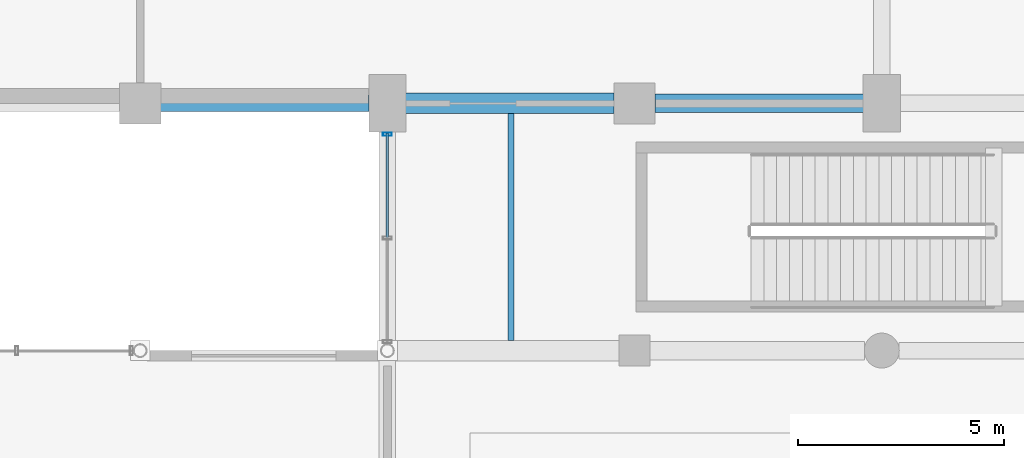
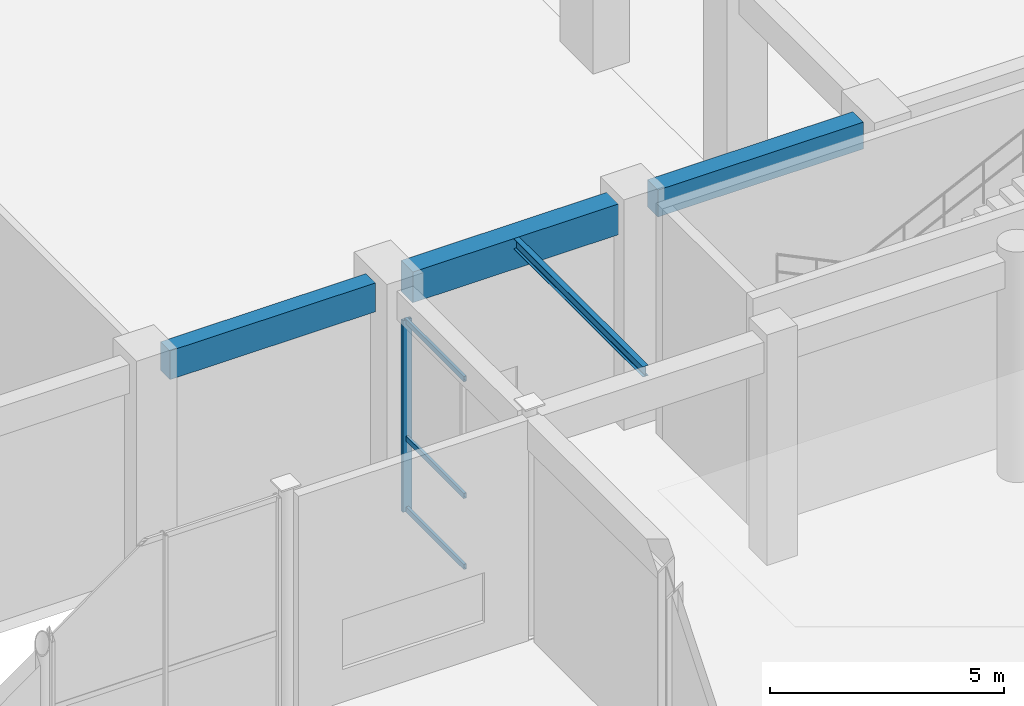
# One storey, part 29 of 106: 4 beams, 4 members, 1 element without a shape of its own.
"""IFC4 building model written with IfcOpenShell, lengths in metres."""

from ifc_helpers import new_model, si_unit, direction, frame, origin, origin_2d, place, context, subcontext, project, spatial, rectangle, hollow_rectangle, i_section, extrude, material, material_profile, profile_set, type_object, element, aggregate, save


model = new_model("IFC4")

# Units and contexts
model_context = context("Model", 3, precision=1e-05, world=origin(), true_north=direction((0.0, 1.0)))
body_context = subcontext(model_context, "Body", "Model", "MODEL_VIEW")
ifc_project = project(units=[si_unit("LENGTHUNIT", "METRE"), si_unit("AREAUNIT", "SQUARE_METRE"), si_unit("VOLUMEUNIT", "CUBIC_METRE"), si_unit("PLANEANGLEUNIT", "RADIAN"), si_unit("MASSUNIT", "GRAM", prefix="KILO"), si_unit("THERMODYNAMICTEMPERATUREUNIT", "KELVIN"), si_unit("POWERUNIT", "WATT")], contexts=[model_context])

# Site, building, storey
site_placement = place(None, origin())
site = spatial("IfcSite", under=ifc_project, at=site_placement, CompositionType="ELEMENT")
building_placement = place(site_placement, origin())
building = spatial("IfcBuilding", under=site, at=building_placement, Name="Phaisarnlok Congress Hotel", CompositionType="ELEMENT")
storey_placement = place(building_placement, origin())
storey = spatial("IfcBuildingStorey", under=building, at=storey_placement, Name="L00", CompositionType="ELEMENT", Elevation=0.0)

# Beams
ifc_material_1 = material(Name="Concrete C40/50", Category="concrete")
ifc_material_profile_1 = material_profile(ifc_material_1, rectangle(XDim=0.449951171875, YDim=0.699951171875, at=origin_2d()), Name="RC 450x700")
ifc_profile_set_1 = profile_set([ifc_material_profile_1], Name="Concrete C40/50")
beam_type_1 = type_object("IfcBeamType", Name="BM-RC-450x700", PredefinedType="BEAM", material=ifc_profile_set_1)
beam_1_placement = place(storey_placement, frame((60.4951171875, 42.0, 5.389892578125), z_axis=(1.0, 0.0, 0.0), x_axis=(0.0, 1.0, 0.0)))
element("IfcBeam", 1, at=beam_1_placement, inside=storey, type_object=beam_type_1, Name="Beam B-03", PredefinedType="BEAM", context=body_context, shape_type="SweptSolid", body=[
    extrude(rectangle(XDim=0.449951171875, YDim=0.699951171875, at=origin_2d()), origin(), (0.0, 0.0, 1.0), 5.059814453125),
])
ifc_material_profile_2 = material_profile(ifc_material_1, rectangle(XDim=0.5, YDim=0.800048828125, at=origin_2d()), Name="RC 500x800")
ifc_profile_set_2 = profile_set([ifc_material_profile_2], Name="Concrete C40/50")
beam_type_2 = type_object("IfcBeamType", Name="BM-RC-500x800", PredefinedType="BEAM", material=ifc_profile_set_2)
beam_2_placement = place(storey_placement, frame((54.445068359375, 42.0, 5.340087890625), z_axis=(1.0, 0.0, 0.0), x_axis=(0.0, 1.0, 0.0)))
element("IfcBeam", 2, at=beam_2_placement, inside=storey, type_object=beam_type_2, Name="Beam B-04", PredefinedType="BEAM", context=body_context, shape_type="SweptSolid", body=[
    extrude(rectangle(XDim=0.5, YDim=0.800048828125, at=origin_2d()), origin(), (0.0, 0.0, 1.0), 5.059814453125),
])

# Curtain wall, members
ifc_material_2 = material(Name="Thermally Broken Unitised Aluminium & Low-E Glazing", Category="aluminium")
curtain_wall_type = type_object("IfcCurtainWallType", Name="CW-UNIT-06", PredefinedType="NOTDEFINED", material=ifc_material_2)
curtain_wall_placement = place(storey_placement, origin())
curtain_wall = element("IfcCurtainWall", 3, at=curtain_wall_placement, inside=storey, type_object=curtain_wall_type, Name="Unitised curtain wall CW-06 (L00)", PredefinedType="NOTDEFINED")
ifc_material_3 = material(Name="Anodised Aluminium Alloy 6063-T6", Category="aluminium")
ifc_material_profile_3 = material_profile(ifc_material_3, hollow_rectangle(XDim=0.074951171875, YDim=0.219970703125, WallThickness=0.0048828125, at=origin_2d()), Name="ALU-M 75x220x5")
ifc_profile_set_3 = profile_set([ifc_material_profile_3], Name="Anodised Aluminium Alloy 6063-T6")
member_type_1 = type_object("IfcMemberType", Name="CWM-220", PredefinedType="MULLION", material=ifc_profile_set_3)
member_1_placement = place(storey_placement, frame((54.0, 41.25, 0.0), z_axis=(0.0, 0.0, 1.0), x_axis=(0.0, -1.0, 0.0)))
member_1 = element("IfcMember", 4, at=member_1_placement, type_object=member_type_1, Name="Curtain wall mullion CWM-02", PredefinedType="MULLION", context=body_context, shape_type="SweptSolid", body=[
    extrude(hollow_rectangle(XDim=0.074951171875, YDim=0.219970703125, WallThickness=0.0048828125, at=origin_2d()), origin(), (0.0, 0.0, 1.0), 4.989990234375),
])
ifc_material_profile_4 = material_profile(ifc_material_3, hollow_rectangle(XDim=0.06494140625, YDim=0.139892578125, WallThickness=0.00390625, at=origin_2d()), Name="ALU-T 65x140x4")
ifc_profile_set_4 = profile_set([ifc_material_profile_4], Name="Anodised Aluminium Alloy 6063-T6")
member_type_2 = type_object("IfcMemberType", Name="CWT-150", PredefinedType="USERDEFINED", material=ifc_profile_set_4)
member_2_placement = place(storey_placement, frame((54.0, 41.27490234375, 0.050048828125), z_axis=(0.0, -1.0, 0.0), x_axis=(1.0, 0.0, 0.0)))
member_2 = element("IfcMember", 5, at=member_2_placement, type_object=member_type_2, Name="Curtain wall transom CWT-01", ObjectType="TRANSOM", PredefinedType="USERDEFINED", context=body_context, shape_type="SweptSolid", body=[
    extrude(hollow_rectangle(XDim=0.06494140625, YDim=0.139892578125, WallThickness=0.00390625, at=origin_2d()), origin(), (0.0, 0.0, 1.0), 2.52880859375),
])
member_3_placement = place(storey_placement, frame((54.0, 41.27490234375, 1.896240234375), z_axis=(0.0, -1.0, 0.0), x_axis=(1.0, 0.0, 0.0)))
member_3 = element("IfcMember", 6, at=member_3_placement, type_object=member_type_2, Name="Curtain wall transom CWT-01", ObjectType="TRANSOM", PredefinedType="USERDEFINED", context=body_context, shape_type="SweptSolid", body=[
    extrude(hollow_rectangle(XDim=0.06494140625, YDim=0.139892578125, WallThickness=0.00390625, at=origin_2d()), origin(), (0.0, 0.0, 1.0), 2.52880859375),
])
member_4_placement = place(storey_placement, frame((54.0, 41.27490234375, 4.93994140625), z_axis=(0.0, -1.0, 0.0), x_axis=(1.0, 0.0, 0.0)))
member_4 = element("IfcMember", 7, at=member_4_placement, type_object=member_type_2, Name="Curtain wall transom CWT-01", ObjectType="TRANSOM", PredefinedType="USERDEFINED", context=body_context, shape_type="SweptSolid", body=[
    extrude(hollow_rectangle(XDim=0.06494140625, YDim=0.139892578125, WallThickness=0.00390625, at=origin_2d()), origin(), (0.0, 0.0, 1.0), 2.52880859375),
])
aggregate(curtain_wall, [member_1, member_2, member_3, member_4])

# Beams
ifc_material_4 = material(Name="Steel S355", Category="steel")
ifc_material_profile_5 = material_profile(ifc_material_4, i_section(OverallWidth=0.135009765625, OverallDepth=0.27001953125, WebThickness=0.006591796875, FlangeThickness=0.01025390625, FilletRadius=0.014892578125, at=origin_2d()), Name="IPE 270")
ifc_profile_set_5 = profile_set([ifc_material_profile_5], Name="Steel S355")
beam_type_3 = type_object("IfcBeamType", Name="JS-STL-IPE270", PredefinedType="JOIST", material=ifc_profile_set_5)
beam_3_placement = place(storey_placement, frame((57.0, 36.2451171875, 5.60498046875), z_axis=(0.0, 1.0, 0.0), x_axis=(-1.0, 0.0, 0.0)))
element("IfcBeam", 8, at=beam_3_placement, inside=storey, type_object=beam_type_3, Name="Secondary floor joist J-02", PredefinedType="JOIST", context=body_context, shape_type="SweptSolid", body=[
    extrude(i_section(OverallWidth=0.135009765625, OverallDepth=0.27001953125, WebThickness=0.006591796875, FlangeThickness=0.01025390625, FilletRadius=0.014892578125, at=origin_2d()), origin(), (0.0, 0.0, 1.0), 5.509765625),
])
ifc_material_profile_6 = material_profile(ifc_material_1, rectangle(XDim=0.39990234375, YDim=0.75, at=origin_2d()), Name="RC 400x750")
ifc_profile_set_6 = profile_set([ifc_material_profile_6], Name="Concrete C40/50")
beam_type_4 = type_object("IfcBeamType", Name="SP-RC-400x750", PredefinedType="SPANDREL", material=ifc_profile_set_6)
beam_4_placement = place(storey_placement, frame((48.4951171875, 42.0, 5.364990234375), z_axis=(1.0, 0.0, 0.0), x_axis=(0.0, 1.0, 0.0)))
element("IfcBeam", 9, at=beam_4_placement, inside=storey, type_object=beam_type_4, Name="Beam SP-02", PredefinedType="SPANDREL", context=body_context, shape_type="SweptSolid", body=[
    extrude(rectangle(XDim=0.39990234375, YDim=0.75, at=origin_2d()), origin(), (0.0, 0.0, 1.0), 5.059814453125),
])

save(model, "model.ifc")
